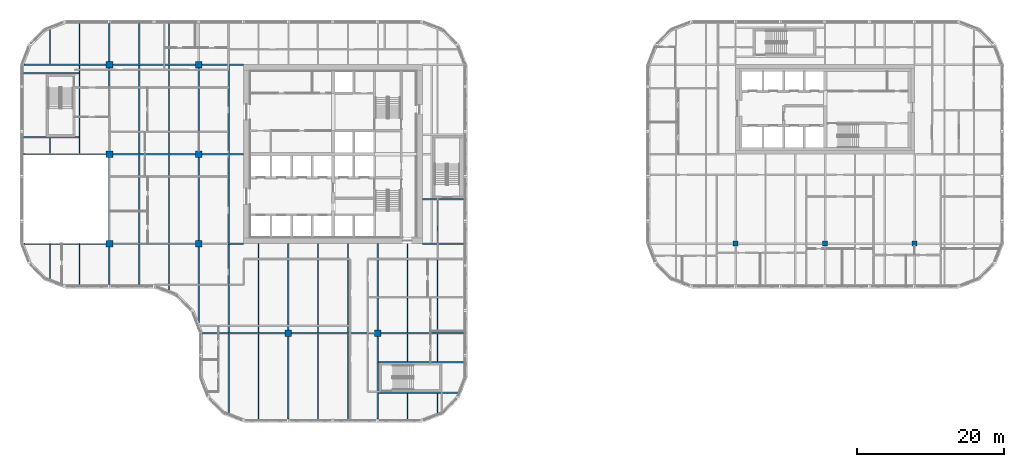
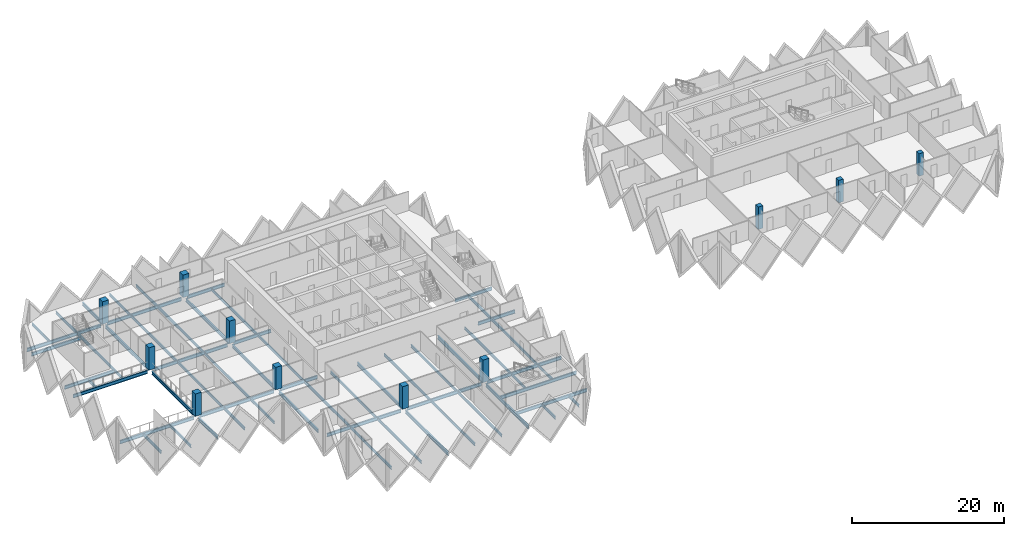
# One storey, part 1 of 19: 60 beams, 11 columns.
"""IFC4 building model written with IfcOpenShell, lengths in metres."""

from ifc_helpers import new_model, si_unit, direction, frame, origin, origin_2d, place, context, subcontext, project, spatial, rectangle, i_section, extrude, material, material_profile, profile_set, type_object, element, save


model = new_model("IFC4")

# Units and contexts
model_context = context("Model", 3, precision=1e-05, world=origin(), true_north=direction((0.0, 1.0)))
body_context = subcontext(model_context, "Body", "Model", "MODEL_VIEW")
ifc_project = project(units=[si_unit("LENGTHUNIT", "METRE"), si_unit("AREAUNIT", "SQUARE_METRE"), si_unit("VOLUMEUNIT", "CUBIC_METRE"), si_unit("PLANEANGLEUNIT", "RADIAN"), si_unit("MASSUNIT", "GRAM", prefix="KILO")], contexts=[model_context])

# Site, building, storey
site_placement = place(None, origin())
site = spatial("IfcSite", under=ifc_project, at=site_placement, CompositionType="ELEMENT")
building_placement = place(site_placement, origin())
building = spatial("IfcBuilding", under=site, at=building_placement, Name="Tessera Gate Towers", CompositionType="ELEMENT")
storey_placement = place(building_placement, frame((0.0, 0.0, 72.39990234375)))
storey = spatial("IfcBuildingStorey", under=building, at=storey_placement, Name="L17", CompositionType="ELEMENT", Elevation=72.39990234375)

# Columns
ifc_material_1 = material(Name="Concrete C70/85", Category="concrete")
ifc_material_profile_1 = material_profile(ifc_material_1, rectangle(XDim=0.699951171875, YDim=0.699951171875, at=origin_2d()), Name="RC 700x700")
ifc_profile_set_1 = profile_set([ifc_material_profile_1], Name="Concrete C70/85")
column_type_1 = type_object("IfcColumnType", Name="COLUMN RC 700x700", PredefinedType="COLUMN", material=ifc_profile_set_1)
for number, where, z_axis, x_axis, name in (
    (1, (97.60009765625, 24.39990234375, 0.0), (0.0, 0.0, 1.0), (1.0, 0.0, 0.0), "T2-COL-9C-L17"),
    (2, (109.800048828125, 24.39990234375, 0.0), (0.0, 0.0, 1.0), (1.0, 0.0, 0.0), "T2-COL-10C-L17"),
    (3, (122.0, 24.39990234375, 0.0), (0.0, 0.0, 1.0), (1.0, 0.0, 0.0), "T2-COL-11C-L17"),
):
    element("IfcColumn", number, at=place(storey_placement, frame(where, z_axis=z_axis, x_axis=x_axis)), inside=storey, type_object=column_type_1, Name=name, PredefinedType="COLUMN", context=body_context, shape_type="SweptSolid", body=[
        extrude(rectangle(XDim=0.699951171875, YDim=0.699951171875, at=origin_2d()), origin(), (0.0, 0.0, 1.0), 3.60009765625),
    ])
ifc_material_2 = material(Name="Concrete C70/85", Category="concrete")
ifc_material_profile_2 = material_profile(ifc_material_2, rectangle(XDim=0.89990234375, YDim=0.89990234375, at=origin_2d()), Name="RC 900x900")
ifc_profile_set_2 = profile_set([ifc_material_profile_2], Name="Concrete C70/85")
column_type_2 = type_object("IfcColumnType", Name="COLUMN RC 900x900", PredefinedType="COLUMN", material=ifc_profile_set_2)
for number, where, z_axis, x_axis, name in (
    (4, (12.199951171875, 24.39990234375, 0.0), (0.0, 0.0, 1.0), (1.0, 0.0, 0.0), "T1-COL-2C-L17"),
    (5, (12.199951171875, 36.60009765625, 0.0), (0.0, 0.0, 1.0), (1.0, 0.0, 0.0), "T1-COL-2D-L17"),
    (6, (12.199951171875, 48.800048828125, 0.0), (0.0, 0.0, 1.0), (1.0, 0.0, 0.0), "T1-COL-2E-L17"),
    (7, (24.39990234375, 24.39990234375, 0.0), (0.0, 0.0, 1.0), (1.0, 0.0, 0.0), "T1-COL-3C-L17"),
    (8, (24.39990234375, 36.60009765625, 0.0), (0.0, 0.0, 1.0), (1.0, 0.0, 0.0), "T1-COL-3D-L17"),
    (9, (24.39990234375, 48.800048828125, 0.0), (0.0, 0.0, 1.0), (1.0, 0.0, 0.0), "T1-COL-3E-L17"),
    (10, (36.60009765625, 12.199951171875, 0.0), (0.0, 0.0, 1.0), (1.0, 0.0, 0.0), "T1-COL-4B-L17"),
    (11, (48.800048828125, 12.199951171875, 0.0), (0.0, 0.0, 1.0), (1.0, 0.0, 0.0), "T1-COL-5B-L17"),
):
    element("IfcColumn", number, at=place(storey_placement, frame(where, z_axis=z_axis, x_axis=x_axis)), inside=storey, type_object=column_type_2, Name=name, PredefinedType="COLUMN", context=body_context, shape_type="SweptSolid", body=[
        extrude(rectangle(XDim=0.89990234375, YDim=0.89990234375, at=origin_2d()), origin(), (0.0, 0.0, 1.0), 3.60009765625),
    ])

# Beams
ifc_material_3 = material(Name="Steel 350W", Category="steel")
ifc_material_profile_3 = material_profile(ifc_material_3, i_section(OverallWidth=0.208984375, OverallDepth=0.532958984375, WebThickness=0.01025390625, FlangeThickness=0.015625, at=origin_2d()), Name="W530x92")
ifc_profile_set_3 = profile_set([ifc_material_profile_3], Name="Steel 350W")
beam_type_1 = type_object("IfcBeamType", Name="FLOOR GIRDER W530x92", PredefinedType="BEAM", material=ifc_profile_set_3)
beam_1_placement = place(storey_placement, frame((24.89892578125, 12.199951171875, -0.46630859375), z_axis=(1.0, 0.0, 0.0), x_axis=(0.0, 1.0, 0.0)))
element("IfcBeam", 12, at=beam_1_placement, inside=storey, type_object=beam_type_1, Name="T1-GD-L17-2344", PredefinedType="BEAM", context=body_context, shape_type="SweptSolid", body=[
    extrude(i_section(OverallWidth=0.208984375, OverallDepth=0.532958984375, WebThickness=0.01025390625, FlangeThickness=0.015625, at=origin_2d()), origin(), (0.0, 0.0, 1.0), 11.2509765625),
])
beam_2_placement = place(storey_placement, frame((37.050048828125, 12.199951171875, -0.46630859375), z_axis=(1.0, 0.0, 0.0), x_axis=(0.0, 1.0, 0.0)))
element("IfcBeam", 13, at=beam_2_placement, inside=storey, type_object=beam_type_1, Name="T1-GD-L17-2345", PredefinedType="BEAM", context=body_context, shape_type="SweptSolid", body=[
    extrude(i_section(OverallWidth=0.208984375, OverallDepth=0.532958984375, WebThickness=0.01025390625, FlangeThickness=0.015625, at=origin_2d()), origin(), (0.0, 0.0, 1.0), 11.300048828125),
])
beam_3_placement = place(storey_placement, frame((49.25, 12.199951171875, -0.46630859375), z_axis=(1.0, 0.0, 0.0), x_axis=(0.0, 1.0, 0.0)))
element("IfcBeam", 14, at=beam_3_placement, inside=storey, type_object=beam_type_1, Name="T1-GD-L17-2346", PredefinedType="BEAM", context=body_context, shape_type="SweptSolid", body=[
    extrude(i_section(OverallWidth=0.208984375, OverallDepth=0.532958984375, WebThickness=0.01025390625, FlangeThickness=0.015625, at=origin_2d()), origin(), (0.0, 0.0, 1.0), 11.2509765625),
])
beam_4_placement = place(storey_placement, frame((0.534912109375, 24.39990234375, -0.46630859375), z_axis=(1.0, 0.0, 0.0), x_axis=(0.0, 1.0, 0.0)))
element("IfcBeam", 15, at=beam_4_placement, inside=storey, type_object=beam_type_1, Name="T1-GD-L17-2347", PredefinedType="BEAM", context=body_context, shape_type="SweptSolid", body=[
    extrude(i_section(OverallWidth=0.208984375, OverallDepth=0.532958984375, WebThickness=0.01025390625, FlangeThickness=0.015625, at=origin_2d()), origin(), (0.0, 0.0, 1.0), 11.215087890625),
])
beam_5_placement = place(storey_placement, frame((12.64990234375, 24.39990234375, -0.46630859375), z_axis=(1.0, 0.0, 0.0), x_axis=(0.0, 1.0, 0.0)))
element("IfcBeam", 16, at=beam_5_placement, inside=storey, type_object=beam_type_1, Name="T1-GD-L17-2348", PredefinedType="BEAM", context=body_context, shape_type="SweptSolid", body=[
    extrude(i_section(OverallWidth=0.208984375, OverallDepth=0.532958984375, WebThickness=0.01025390625, FlangeThickness=0.015625, at=origin_2d()), origin(), (0.0, 0.0, 1.0), 11.300048828125),
])
beam_6_placement = place(storey_placement, frame((24.85009765625, 24.39990234375, -0.46630859375), z_axis=(1.0, 0.0, 0.0), x_axis=(0.0, 1.0, 0.0)))
element("IfcBeam", 17, at=beam_6_placement, inside=storey, type_object=beam_type_1, Name="T1-GD-L17-2349", PredefinedType="BEAM", context=body_context, shape_type="SweptSolid", body=[
    extrude(i_section(OverallWidth=0.208984375, OverallDepth=0.532958984375, WebThickness=0.01025390625, FlangeThickness=0.015625, at=origin_2d()), origin(), (0.0, 0.0, 1.0), 5.64892578125),
])
beam_7_placement = place(storey_placement, frame((54.90087890625, 24.39990234375, -0.46630859375), z_axis=(1.0, 0.0, 0.0), x_axis=(0.0, 1.0, 0.0)))
element("IfcBeam", 18, at=beam_7_placement, inside=storey, type_object=beam_type_1, Name="T1-GD-L17-2350", PredefinedType="BEAM", context=body_context, shape_type="SweptSolid", body=[
    extrude(i_section(OverallWidth=0.208984375, OverallDepth=0.532958984375, WebThickness=0.01025390625, FlangeThickness=0.015625, at=origin_2d()), origin(), (0.0, 0.0, 1.0), 5.60009765625),
])
beam_8_placement = place(storey_placement, frame((0.4990234375, 36.60009765625, -0.46630859375), z_axis=(1.0, 0.0, 0.0), x_axis=(0.0, 1.0, 0.0)))
element("IfcBeam", 19, at=beam_8_placement, inside=storey, type_object=beam_type_1, Name="T1-GD-L17-2351", PredefinedType="BEAM", context=body_context, shape_type="SweptSolid", body=[
    extrude(i_section(OverallWidth=0.208984375, OverallDepth=0.532958984375, WebThickness=0.01025390625, FlangeThickness=0.015625, at=origin_2d()), origin(), (0.0, 0.0, 1.0), 11.2509765625),
])
beam_9_placement = place(storey_placement, frame((12.64990234375, 36.60009765625, -0.46630859375), z_axis=(1.0, 0.0, 0.0), x_axis=(0.0, 1.0, 0.0)))
element("IfcBeam", 20, at=beam_9_placement, inside=storey, type_object=beam_type_1, Name="T1-GD-L17-2352", PredefinedType="BEAM", context=body_context, shape_type="SweptSolid", body=[
    extrude(i_section(OverallWidth=0.208984375, OverallDepth=0.532958984375, WebThickness=0.01025390625, FlangeThickness=0.015625, at=origin_2d()), origin(), (0.0, 0.0, 1.0), 11.300048828125),
])
beam_10_placement = place(storey_placement, frame((24.85009765625, 36.60009765625, -0.46630859375), z_axis=(1.0, 0.0, 0.0), x_axis=(0.0, 1.0, 0.0)))
element("IfcBeam", 21, at=beam_10_placement, inside=storey, type_object=beam_type_1, Name="T1-GD-L17-2353", PredefinedType="BEAM", context=body_context, shape_type="SweptSolid", body=[
    extrude(i_section(OverallWidth=0.208984375, OverallDepth=0.532958984375, WebThickness=0.01025390625, FlangeThickness=0.015625, at=origin_2d()), origin(), (0.0, 0.0, 1.0), 5.65087890625),
])
beam_11_placement = place(storey_placement, frame((0.534912109375, 48.800048828125, -0.46630859375), z_axis=(1.0, 0.0, 0.0), x_axis=(0.0, 1.0, 0.0)))
element("IfcBeam", 22, at=beam_11_placement, inside=storey, type_object=beam_type_1, Name="T1-GD-L17-2355", PredefinedType="BEAM", context=body_context, shape_type="SweptSolid", body=[
    extrude(i_section(OverallWidth=0.208984375, OverallDepth=0.532958984375, WebThickness=0.01025390625, FlangeThickness=0.015625, at=origin_2d()), origin(), (0.0, 0.0, 1.0), 11.215087890625),
])
beam_12_placement = place(storey_placement, frame((12.64990234375, 48.800048828125, -0.46630859375), z_axis=(1.0, 0.0, 0.0), x_axis=(0.0, 1.0, 0.0)))
element("IfcBeam", 23, at=beam_12_placement, inside=storey, type_object=beam_type_1, Name="T1-GD-L17-2356", PredefinedType="BEAM", context=body_context, shape_type="SweptSolid", body=[
    extrude(i_section(OverallWidth=0.208984375, OverallDepth=0.532958984375, WebThickness=0.01025390625, FlangeThickness=0.015625, at=origin_2d()), origin(), (0.0, 0.0, 1.0), 11.300048828125),
])
beam_13_placement = place(storey_placement, frame((24.85009765625, 48.800048828125, -0.46630859375), z_axis=(1.0, 0.0, 0.0), x_axis=(0.0, 1.0, 0.0)))
element("IfcBeam", 24, at=beam_13_placement, inside=storey, type_object=beam_type_1, Name="T1-GD-L17-2357", PredefinedType="BEAM", context=body_context, shape_type="SweptSolid", body=[
    extrude(i_section(OverallWidth=0.208984375, OverallDepth=0.532958984375, WebThickness=0.01025390625, FlangeThickness=0.015625, at=origin_2d()), origin(), (0.0, 0.0, 1.0), 5.64892578125),
])
beam_14_placement = place(storey_placement, frame((12.199951171875, 18.799072265625, -0.46630859375), z_axis=(0.0, 1.0, 0.0), x_axis=(-1.0, 0.0, 0.0)))
element("IfcBeam", 25, at=beam_14_placement, inside=storey, type_object=beam_type_1, Name="T1-GD-L17-2359", PredefinedType="BEAM", context=body_context, shape_type="SweptSolid", body=[
    extrude(i_section(OverallWidth=0.208984375, OverallDepth=0.532958984375, WebThickness=0.01025390625, FlangeThickness=0.015625, at=origin_2d()), origin(), (0.0, 0.0, 1.0), 5.15087890625),
])
beam_15_placement = place(storey_placement, frame((12.199951171875, 24.85009765625, -0.46630859375), z_axis=(0.0, 1.0, 0.0), x_axis=(-1.0, 0.0, 0.0)))
element("IfcBeam", 26, at=beam_15_placement, inside=storey, type_object=beam_type_1, Name="T1-GD-L17-2360", PredefinedType="BEAM", context=body_context, shape_type="SweptSolid", body=[
    extrude(i_section(OverallWidth=0.208984375, OverallDepth=0.532958984375, WebThickness=0.01025390625, FlangeThickness=0.015625, at=origin_2d()), origin(), (0.0, 0.0, 1.0), 11.2998046875),
])
beam_16_placement = place(storey_placement, frame((12.199951171875, 37.050048828125, -0.46630859375), z_axis=(0.0, 1.0, 0.0), x_axis=(-1.0, 0.0, 0.0)))
element("IfcBeam", 27, at=beam_16_placement, inside=storey, type_object=beam_type_1, Name="T1-GD-L17-2361", PredefinedType="BEAM", context=body_context, shape_type="SweptSolid", body=[
    extrude(i_section(OverallWidth=0.208984375, OverallDepth=0.532958984375, WebThickness=0.01025390625, FlangeThickness=0.015625, at=origin_2d()), origin(), (0.0, 0.0, 1.0), 11.300048828125),
])
beam_17_placement = place(storey_placement, frame((12.199951171875, 49.25, -0.46630859375), z_axis=(0.0, 1.0, 0.0), x_axis=(-1.0, 0.0, 0.0)))
element("IfcBeam", 28, at=beam_17_placement, inside=storey, type_object=beam_type_1, Name="T1-GD-L17-2362", PredefinedType="BEAM", context=body_context, shape_type="SweptSolid", body=[
    extrude(i_section(OverallWidth=0.208984375, OverallDepth=0.532958984375, WebThickness=0.01025390625, FlangeThickness=0.015625, at=origin_2d()), origin(), (0.0, 0.0, 1.0), 5.15087890625),
])
beam_18_placement = place(storey_placement, frame((24.39990234375, 13.58642578125, -0.46630859375), z_axis=(0.0, 1.0, 0.0), x_axis=(-1.0, 0.0, 0.0)))
element("IfcBeam", 29, at=beam_18_placement, inside=storey, type_object=beam_type_1, Name="T1-GD-L17-2363", PredefinedType="BEAM", context=body_context, shape_type="SweptSolid", body=[
    extrude(i_section(OverallWidth=0.208984375, OverallDepth=0.532958984375, WebThickness=0.01025390625, FlangeThickness=0.015625, at=origin_2d()), origin(), (0.0, 0.0, 1.0), 10.363525390625),
])
beam_19_placement = place(storey_placement, frame((24.39990234375, 24.85009765625, -0.46630859375), z_axis=(0.0, 1.0, 0.0), x_axis=(-1.0, 0.0, 0.0)))
element("IfcBeam", 30, at=beam_19_placement, inside=storey, type_object=beam_type_1, Name="T1-GD-L17-2364", PredefinedType="BEAM", context=body_context, shape_type="SweptSolid", body=[
    extrude(i_section(OverallWidth=0.208984375, OverallDepth=0.532958984375, WebThickness=0.01025390625, FlangeThickness=0.015625, at=origin_2d()), origin(), (0.0, 0.0, 1.0), 11.2998046875),
])
beam_20_placement = place(storey_placement, frame((24.39990234375, 37.050048828125, -0.46630859375), z_axis=(0.0, 1.0, 0.0), x_axis=(-1.0, 0.0, 0.0)))
element("IfcBeam", 31, at=beam_20_placement, inside=storey, type_object=beam_type_1, Name="T1-GD-L17-2365", PredefinedType="BEAM", context=body_context, shape_type="SweptSolid", body=[
    extrude(i_section(OverallWidth=0.208984375, OverallDepth=0.532958984375, WebThickness=0.01025390625, FlangeThickness=0.015625, at=origin_2d()), origin(), (0.0, 0.0, 1.0), 11.300048828125),
])
beam_21_placement = place(storey_placement, frame((36.60009765625, 0.4990234375, -0.46630859375), z_axis=(0.0, 1.0, 0.0), x_axis=(-1.0, 0.0, 0.0)))
element("IfcBeam", 32, at=beam_21_placement, inside=storey, type_object=beam_type_1, Name="T1-GD-L17-2367", PredefinedType="BEAM", context=body_context, shape_type="SweptSolid", body=[
    extrude(i_section(OverallWidth=0.208984375, OverallDepth=0.532958984375, WebThickness=0.01025390625, FlangeThickness=0.015625, at=origin_2d()), origin(), (0.0, 0.0, 1.0), 11.2509765625),
])
beam_22_placement = place(storey_placement, frame((36.60009765625, 12.64990234375, -0.46630859375), z_axis=(0.0, 1.0, 0.0), x_axis=(-1.0, 0.0, 0.0)))
element("IfcBeam", 33, at=beam_22_placement, inside=storey, type_object=beam_type_1, Name="T1-GD-L17-2368", PredefinedType="BEAM", context=body_context, shape_type="SweptSolid", body=[
    extrude(i_section(OverallWidth=0.208984375, OverallDepth=0.532958984375, WebThickness=0.01025390625, FlangeThickness=0.015625, at=origin_2d()), origin(), (0.0, 0.0, 1.0), 11.75),
])
beam_23_placement = place(storey_placement, frame((48.800048828125, 0.4990234375, -0.46630859375), z_axis=(0.0, 1.0, 0.0), x_axis=(-1.0, 0.0, 0.0)))
element("IfcBeam", 34, at=beam_23_placement, inside=storey, type_object=beam_type_1, Name="T1-GD-L17-2369", PredefinedType="BEAM", context=body_context, shape_type="SweptSolid", body=[
    extrude(i_section(OverallWidth=0.208984375, OverallDepth=0.532958984375, WebThickness=0.01025390625, FlangeThickness=0.015625, at=origin_2d()), origin(), (0.0, 0.0, 1.0), 11.2509765625),
])
beam_24_placement = place(storey_placement, frame((48.800048828125, 12.64990234375, -0.46630859375), z_axis=(0.0, 1.0, 0.0), x_axis=(-1.0, 0.0, 0.0)))
element("IfcBeam", 35, at=beam_24_placement, inside=storey, type_object=beam_type_1, Name="T1-GD-L17-2370", PredefinedType="BEAM", context=body_context, shape_type="SweptSolid", body=[
    extrude(i_section(OverallWidth=0.208984375, OverallDepth=0.532958984375, WebThickness=0.01025390625, FlangeThickness=0.015625, at=origin_2d()), origin(), (0.0, 0.0, 1.0), 11.75),
])
for number, where, z_axis, x_axis, name in (
    (36, (0.4990234375, 38.8798828125, -0.46630859375), (1.0, 0.0, 0.0), (0.0, 1.0, 0.0), "T1-GD-L17-2371"),
    (37, (0.4990234375, 47.6201171875, -0.46630859375), (1.0, 0.0, 0.0), (0.0, 1.0, 0.0), "T1-GD-L17-2372"),
):
    element("IfcBeam", number, at=place(storey_placement, frame(where, z_axis=z_axis, x_axis=x_axis)), inside=storey, type_object=beam_type_1, Name=name, PredefinedType="BEAM", context=body_context, shape_type="SweptSolid", body=[
        extrude(i_section(OverallWidth=0.208984375, OverallDepth=0.532958984375, WebThickness=0.01025390625, FlangeThickness=0.015625, at=origin_2d()), origin(), (0.0, 0.0, 1.0), 7.557861328125),
    ])
beam_25_placement = place(storey_placement, frame((48.87646484375, 4.080078125, -0.46630859375), z_axis=(1.0, 0.0, 0.0), x_axis=(0.0, 1.0, 0.0)))
element("IfcBeam", 38, at=beam_25_placement, inside=storey, type_object=beam_type_1, Name="T1-GD-L17-2373", PredefinedType="BEAM", context=body_context, shape_type="SweptSolid", body=[
    extrude(i_section(OverallWidth=0.208984375, OverallDepth=0.532958984375, WebThickness=0.01025390625, FlangeThickness=0.015625, at=origin_2d()), origin(), (0.0, 0.0, 1.0), 10.809326171875),
])
beam_26_placement = place(storey_placement, frame((48.87646484375, 8.219970703125, -0.46630859375), z_axis=(1.0, 0.0, 0.0), x_axis=(0.0, 1.0, 0.0)))
element("IfcBeam", 39, at=beam_26_placement, inside=storey, type_object=beam_type_1, Name="T1-GD-L17-2374", PredefinedType="BEAM", context=body_context, shape_type="SweptSolid", body=[
    extrude(i_section(OverallWidth=0.208984375, OverallDepth=0.532958984375, WebThickness=0.01025390625, FlangeThickness=0.015625, at=origin_2d()), origin(), (0.0, 0.0, 1.0), 11.62451171875),
])
beam_27_placement = place(storey_placement, frame((54.89892578125, 30.47998046875, -0.46630859375), z_axis=(1.0, 0.0, 0.0), x_axis=(0.0, 1.0, 0.0)))
element("IfcBeam", 40, at=beam_27_placement, inside=storey, type_object=beam_type_1, Name="T1-GD-L17-2375", PredefinedType="BEAM", context=body_context, shape_type="SweptSolid", body=[
    extrude(i_section(OverallWidth=0.208984375, OverallDepth=0.532958984375, WebThickness=0.01025390625, FlangeThickness=0.015625, at=origin_2d()), origin(), (0.0, 0.0, 1.0), 5.60205078125),
])
ifc_material_4 = material(Name="Steel 350W", Category="steel")
ifc_material_profile_4 = material_profile(ifc_material_4, i_section(OverallWidth=0.153076171875, OverallDepth=0.455078125, WebThickness=0.008056640625, FlangeThickness=0.01318359375, at=origin_2d()), Name="W460x60")
ifc_profile_set_4 = profile_set([ifc_material_profile_4], Name="Steel 350W")
beam_type_2 = type_object("IfcBeamType", Name="FLOOR SECONDARY W460x60", PredefinedType="BEAM", material=ifc_profile_set_4)
beam_28_placement = place(storey_placement, frame((4.066650390625, 19.620361328125, -0.427490234375), z_axis=(0.0, 1.0, 0.0), x_axis=(-1.0, 0.0, 0.0)))
element("IfcBeam", 41, at=beam_28_placement, inside=storey, type_object=beam_type_2, Name="T1-BM-L17-2378", PredefinedType="BEAM", context=body_context, shape_type="SweptSolid", body=[
    extrude(i_section(OverallWidth=0.153076171875, OverallDepth=0.455078125, WebThickness=0.008056640625, FlangeThickness=0.01318359375, at=origin_2d()), origin(), (0.0, 0.0, 1.0), 4.779541015625),
])
beam_29_placement = place(storey_placement, frame((4.066650390625, 36.70458984375, -0.427490234375), z_axis=(0.0, 1.0, 0.0), x_axis=(-1.0, 0.0, 0.0)))
element("IfcBeam", 42, at=beam_29_placement, inside=storey, type_object=beam_type_2, Name="T1-BM-L17-2379", PredefinedType="BEAM", context=body_context, shape_type="SweptSolid", body=[
    extrude(i_section(OverallWidth=0.153076171875, OverallDepth=0.455078125, WebThickness=0.008056640625, FlangeThickness=0.01318359375, at=origin_2d()), origin(), (0.0, 0.0, 1.0), 2.07080078125),
])
beam_30_placement = place(storey_placement, frame((4.066650390625, 48.904541015625, -0.427490234375), z_axis=(0.0, 1.0, 0.0), x_axis=(-1.0, 0.0, 0.0)))
element("IfcBeam", 43, at=beam_30_placement, inside=storey, type_object=beam_type_2, Name="T1-BM-L17-2380", PredefinedType="BEAM", context=body_context, shape_type="SweptSolid", body=[
    extrude(i_section(OverallWidth=0.153076171875, OverallDepth=0.455078125, WebThickness=0.008056640625, FlangeThickness=0.01318359375, at=origin_2d()), origin(), (0.0, 0.0, 1.0), 4.675048828125),
])
beam_31_placement = place(storey_placement, frame((8.13330078125, 18.800048828125, -0.427490234375), z_axis=(0.0, 1.0, 0.0), x_axis=(-1.0, 0.0, 0.0)))
element("IfcBeam", 44, at=beam_31_placement, inside=storey, type_object=beam_type_2, Name="T1-BM-L17-2381", PredefinedType="BEAM", context=body_context, shape_type="SweptSolid", body=[
    extrude(i_section(OverallWidth=0.153076171875, OverallDepth=0.455078125, WebThickness=0.008056640625, FlangeThickness=0.01318359375, at=origin_2d()), origin(), (0.0, 0.0, 1.0), 5.599853515625),
])
beam_32_placement = place(storey_placement, frame((8.13330078125, 36.70458984375, -0.427490234375), z_axis=(0.0, 1.0, 0.0), x_axis=(-1.0, 0.0, 0.0)))
element("IfcBeam", 45, at=beam_32_placement, inside=storey, type_object=beam_type_2, Name="T1-BM-L17-2382", PredefinedType="BEAM", context=body_context, shape_type="SweptSolid", body=[
    extrude(i_section(OverallWidth=0.153076171875, OverallDepth=0.455078125, WebThickness=0.008056640625, FlangeThickness=0.01318359375, at=origin_2d()), origin(), (0.0, 0.0, 1.0), 11.990966796875),
])
for number, where, z_axis, x_axis, name in (
    (46, (8.13330078125, 48.904541015625, -0.427490234375), (0.0, 1.0, 0.0), (-1.0, 0.0, 0.0), "T1-BM-L17-2383"),
    (47, (16.2666015625, 18.800048828125, -0.427490234375), (0.0, 1.0, 0.0), (-1.0, 0.0, 0.0), "T1-BM-L17-2384"),
):
    element("IfcBeam", number, at=place(storey_placement, frame(where, z_axis=z_axis, x_axis=x_axis)), inside=storey, type_object=beam_type_2, Name=name, PredefinedType="BEAM", context=body_context, shape_type="SweptSolid", body=[
        extrude(i_section(OverallWidth=0.153076171875, OverallDepth=0.455078125, WebThickness=0.008056640625, FlangeThickness=0.01318359375, at=origin_2d()), origin(), (0.0, 0.0, 1.0), 5.495361328125),
    ])
beam_33_placement = place(storey_placement, frame((16.2666015625, 24.50439453125, -0.427490234375), z_axis=(0.0, 1.0, 0.0), x_axis=(-1.0, 0.0, 0.0)))
element("IfcBeam", 48, at=beam_33_placement, inside=storey, type_object=beam_type_2, Name="T1-BM-L17-2385", PredefinedType="BEAM", context=body_context, shape_type="SweptSolid", body=[
    extrude(i_section(OverallWidth=0.153076171875, OverallDepth=0.455078125, WebThickness=0.008056640625, FlangeThickness=0.01318359375, at=origin_2d()), origin(), (0.0, 0.0, 1.0), 11.9912109375),
])
beam_34_placement = place(storey_placement, frame((16.2666015625, 36.70458984375, -0.427490234375), z_axis=(0.0, 1.0, 0.0), x_axis=(-1.0, 0.0, 0.0)))
element("IfcBeam", 49, at=beam_34_placement, inside=storey, type_object=beam_type_2, Name="T1-BM-L17-2386", PredefinedType="BEAM", context=body_context, shape_type="SweptSolid", body=[
    extrude(i_section(OverallWidth=0.153076171875, OverallDepth=0.455078125, WebThickness=0.008056640625, FlangeThickness=0.01318359375, at=origin_2d()), origin(), (0.0, 0.0, 1.0), 11.990966796875),
])
beam_35_placement = place(storey_placement, frame((16.2666015625, 48.904541015625, -0.427490234375), z_axis=(0.0, 1.0, 0.0), x_axis=(-1.0, 0.0, 0.0)))
element("IfcBeam", 50, at=beam_35_placement, inside=storey, type_object=beam_type_2, Name="T1-BM-L17-2387", PredefinedType="BEAM", context=body_context, shape_type="SweptSolid", body=[
    extrude(i_section(OverallWidth=0.153076171875, OverallDepth=0.455078125, WebThickness=0.008056640625, FlangeThickness=0.01318359375, at=origin_2d()), origin(), (0.0, 0.0, 1.0), 5.495361328125),
])
beam_36_placement = place(storey_placement, frame((20.333251953125, 18.051513671875, -0.427490234375), z_axis=(0.0, 1.0, 0.0), x_axis=(-1.0, 0.0, 0.0)))
element("IfcBeam", 51, at=beam_36_placement, inside=storey, type_object=beam_type_2, Name="T1-BM-L17-2388", PredefinedType="BEAM", context=body_context, shape_type="SweptSolid", body=[
    extrude(i_section(OverallWidth=0.153076171875, OverallDepth=0.455078125, WebThickness=0.008056640625, FlangeThickness=0.01318359375, at=origin_2d()), origin(), (0.0, 0.0, 1.0), 6.243896484375),
])
beam_37_placement = place(storey_placement, frame((20.333251953125, 24.50439453125, -0.427490234375), z_axis=(0.0, 1.0, 0.0), x_axis=(-1.0, 0.0, 0.0)))
element("IfcBeam", 52, at=beam_37_placement, inside=storey, type_object=beam_type_2, Name="T1-BM-L17-2389", PredefinedType="BEAM", context=body_context, shape_type="SweptSolid", body=[
    extrude(i_section(OverallWidth=0.153076171875, OverallDepth=0.455078125, WebThickness=0.008056640625, FlangeThickness=0.01318359375, at=origin_2d()), origin(), (0.0, 0.0, 1.0), 11.9912109375),
])
beam_38_placement = place(storey_placement, frame((20.333251953125, 36.70458984375, -0.427490234375), z_axis=(0.0, 1.0, 0.0), x_axis=(-1.0, 0.0, 0.0)))
element("IfcBeam", 53, at=beam_38_placement, inside=storey, type_object=beam_type_2, Name="T1-BM-L17-2390", PredefinedType="BEAM", context=body_context, shape_type="SweptSolid", body=[
    extrude(i_section(OverallWidth=0.153076171875, OverallDepth=0.455078125, WebThickness=0.008056640625, FlangeThickness=0.01318359375, at=origin_2d()), origin(), (0.0, 0.0, 1.0), 11.990966796875),
])
beam_39_placement = place(storey_placement, frame((20.333251953125, 48.904541015625, -0.427490234375), z_axis=(0.0, 1.0, 0.0), x_axis=(-1.0, 0.0, 0.0)))
element("IfcBeam", 54, at=beam_39_placement, inside=storey, type_object=beam_type_2, Name="T1-BM-L17-2391", PredefinedType="BEAM", context=body_context, shape_type="SweptSolid", body=[
    extrude(i_section(OverallWidth=0.153076171875, OverallDepth=0.455078125, WebThickness=0.008056640625, FlangeThickness=0.01318359375, at=origin_2d()), origin(), (0.0, 0.0, 1.0), 5.495361328125),
])
beam_40_placement = place(storey_placement, frame((28.466796875, 1.3203125, -0.427490234375), z_axis=(0.0, 1.0, 0.0), x_axis=(-1.0, 0.0, 0.0)))
element("IfcBeam", 55, at=beam_40_placement, inside=storey, type_object=beam_type_2, Name="T1-BM-L17-2392", PredefinedType="BEAM", context=body_context, shape_type="SweptSolid", body=[
    extrude(i_section(OverallWidth=0.153076171875, OverallDepth=0.455078125, WebThickness=0.008056640625, FlangeThickness=0.01318359375, at=origin_2d()), origin(), (0.0, 0.0, 1.0), 10.775146484375),
])
beam_41_placement = place(storey_placement, frame((28.466796875, 12.304443359375, -0.427490234375), z_axis=(0.0, 1.0, 0.0), x_axis=(-1.0, 0.0, 0.0)))
element("IfcBeam", 56, at=beam_41_placement, inside=storey, type_object=beam_type_2, Name="T1-BM-L17-2393", PredefinedType="BEAM", context=body_context, shape_type="SweptSolid", body=[
    extrude(i_section(OverallWidth=0.153076171875, OverallDepth=0.455078125, WebThickness=0.008056640625, FlangeThickness=0.01318359375, at=origin_2d()), origin(), (0.0, 0.0, 1.0), 11.990966796875),
])
beam_42_placement = place(storey_placement, frame((28.466796875, 24.50439453125, -0.427490234375), z_axis=(0.0, 1.0, 0.0), x_axis=(-1.0, 0.0, 0.0)))
element("IfcBeam", 57, at=beam_42_placement, inside=storey, type_object=beam_type_2, Name="T1-BM-L17-2394", PredefinedType="BEAM", context=body_context, shape_type="SweptSolid", body=[
    extrude(i_section(OverallWidth=0.153076171875, OverallDepth=0.455078125, WebThickness=0.008056640625, FlangeThickness=0.01318359375, at=origin_2d()), origin(), (0.0, 0.0, 1.0), 11.9912109375),
])
beam_43_placement = place(storey_placement, frame((28.466796875, 36.70458984375, -0.427490234375), z_axis=(0.0, 1.0, 0.0), x_axis=(-1.0, 0.0, 0.0)))
element("IfcBeam", 58, at=beam_43_placement, inside=storey, type_object=beam_type_2, Name="T1-BM-L17-2395", PredefinedType="BEAM", context=body_context, shape_type="SweptSolid", body=[
    extrude(i_section(OverallWidth=0.153076171875, OverallDepth=0.455078125, WebThickness=0.008056640625, FlangeThickness=0.01318359375, at=origin_2d()), origin(), (0.0, 0.0, 1.0), 11.990966796875),
])
beam_44_placement = place(storey_placement, frame((32.533203125, 0.5, -0.427490234375), z_axis=(0.0, 1.0, 0.0), x_axis=(-1.0, 0.0, 0.0)))
element("IfcBeam", 59, at=beam_44_placement, inside=storey, type_object=beam_type_2, Name="T1-BM-L17-2397", PredefinedType="BEAM", context=body_context, shape_type="SweptSolid", body=[
    extrude(i_section(OverallWidth=0.153076171875, OverallDepth=0.455078125, WebThickness=0.008056640625, FlangeThickness=0.01318359375, at=origin_2d()), origin(), (0.0, 0.0, 1.0), 11.595458984375),
])
beam_45_placement = place(storey_placement, frame((32.533203125, 12.304443359375, -0.427490234375), z_axis=(0.0, 1.0, 0.0), x_axis=(-1.0, 0.0, 0.0)))
element("IfcBeam", 60, at=beam_45_placement, inside=storey, type_object=beam_type_2, Name="T1-BM-L17-2398", PredefinedType="BEAM", context=body_context, shape_type="SweptSolid", body=[
    extrude(i_section(OverallWidth=0.153076171875, OverallDepth=0.455078125, WebThickness=0.008056640625, FlangeThickness=0.01318359375, at=origin_2d()), origin(), (0.0, 0.0, 1.0), 12.095458984375),
])
beam_46_placement = place(storey_placement, frame((40.666748046875, 0.5, -0.427490234375), z_axis=(0.0, 1.0, 0.0), x_axis=(-1.0, 0.0, 0.0)))
element("IfcBeam", 61, at=beam_46_placement, inside=storey, type_object=beam_type_2, Name="T1-BM-L17-2401", PredefinedType="BEAM", context=body_context, shape_type="SweptSolid", body=[
    extrude(i_section(OverallWidth=0.153076171875, OverallDepth=0.455078125, WebThickness=0.008056640625, FlangeThickness=0.01318359375, at=origin_2d()), origin(), (0.0, 0.0, 1.0), 11.595458984375),
])
beam_47_placement = place(storey_placement, frame((40.666748046875, 12.304443359375, -0.427490234375), z_axis=(0.0, 1.0, 0.0), x_axis=(-1.0, 0.0, 0.0)))
element("IfcBeam", 62, at=beam_47_placement, inside=storey, type_object=beam_type_2, Name="T1-BM-L17-2402", PredefinedType="BEAM", context=body_context, shape_type="SweptSolid", body=[
    extrude(i_section(OverallWidth=0.153076171875, OverallDepth=0.455078125, WebThickness=0.008056640625, FlangeThickness=0.01318359375, at=origin_2d()), origin(), (0.0, 0.0, 1.0), 12.095458984375),
])
beam_48_placement = place(storey_placement, frame((44.7333984375, 0.5, -0.427490234375), z_axis=(0.0, 1.0, 0.0), x_axis=(-1.0, 0.0, 0.0)))
element("IfcBeam", 63, at=beam_48_placement, inside=storey, type_object=beam_type_2, Name="T1-BM-L17-2404", PredefinedType="BEAM", context=body_context, shape_type="SweptSolid", body=[
    extrude(i_section(OverallWidth=0.153076171875, OverallDepth=0.455078125, WebThickness=0.008056640625, FlangeThickness=0.01318359375, at=origin_2d()), origin(), (0.0, 0.0, 1.0), 11.595458984375),
])
beam_49_placement = place(storey_placement, frame((44.7333984375, 12.304443359375, -0.427490234375), z_axis=(0.0, 1.0, 0.0), x_axis=(-1.0, 0.0, 0.0)))
element("IfcBeam", 64, at=beam_49_placement, inside=storey, type_object=beam_type_2, Name="T1-BM-L17-2405", PredefinedType="BEAM", context=body_context, shape_type="SweptSolid", body=[
    extrude(i_section(OverallWidth=0.153076171875, OverallDepth=0.455078125, WebThickness=0.008056640625, FlangeThickness=0.01318359375, at=origin_2d()), origin(), (0.0, 0.0, 1.0), 12.095458984375),
])
beam_50_placement = place(storey_placement, frame((52.86669921875, 0.5, -0.427490234375), z_axis=(0.0, 1.0, 0.0), x_axis=(-1.0, 0.0, 0.0)))
element("IfcBeam", 65, at=beam_50_placement, inside=storey, type_object=beam_type_2, Name="T1-BM-L17-2408", PredefinedType="BEAM", context=body_context, shape_type="SweptSolid", body=[
    extrude(i_section(OverallWidth=0.153076171875, OverallDepth=0.455078125, WebThickness=0.008056640625, FlangeThickness=0.01318359375, at=origin_2d()), origin(), (0.0, 0.0, 1.0), 3.4755859375),
])
beam_51_placement = place(storey_placement, frame((52.86669921875, 8.324462890625, -0.427490234375), z_axis=(0.0, 1.0, 0.0), x_axis=(-1.0, 0.0, 0.0)))
element("IfcBeam", 66, at=beam_51_placement, inside=storey, type_object=beam_type_2, Name="T1-BM-L17-2409", PredefinedType="BEAM", context=body_context, shape_type="SweptSolid", body=[
    extrude(i_section(OverallWidth=0.153076171875, OverallDepth=0.455078125, WebThickness=0.008056640625, FlangeThickness=0.01318359375, at=origin_2d()), origin(), (0.0, 0.0, 1.0), 3.77099609375),
])
beam_52_placement = place(storey_placement, frame((52.86669921875, 12.304443359375, -0.427490234375), z_axis=(0.0, 1.0, 0.0), x_axis=(-1.0, 0.0, 0.0)))
element("IfcBeam", 67, at=beam_52_placement, inside=storey, type_object=beam_type_2, Name="T1-BM-L17-2410", PredefinedType="BEAM", context=body_context, shape_type="SweptSolid", body=[
    extrude(i_section(OverallWidth=0.153076171875, OverallDepth=0.455078125, WebThickness=0.008056640625, FlangeThickness=0.01318359375, at=origin_2d()), origin(), (0.0, 0.0, 1.0), 12.095458984375),
])
beam_53_placement = place(storey_placement, frame((56.933349609375, 1.3203125, -0.427490234375), z_axis=(0.0, 1.0, 0.0), x_axis=(-1.0, 0.0, 0.0)))
element("IfcBeam", 68, at=beam_53_placement, inside=storey, type_object=beam_type_2, Name="T1-BM-L17-2412", PredefinedType="BEAM", context=body_context, shape_type="SweptSolid", body=[
    extrude(i_section(OverallWidth=0.153076171875, OverallDepth=0.455078125, WebThickness=0.008056640625, FlangeThickness=0.01318359375, at=origin_2d()), origin(), (0.0, 0.0, 1.0), 2.6552734375),
])
beam_54_placement = place(storey_placement, frame((56.933349609375, 8.324462890625, -0.427490234375), z_axis=(0.0, 1.0, 0.0), x_axis=(-1.0, 0.0, 0.0)))
element("IfcBeam", 69, at=beam_54_placement, inside=storey, type_object=beam_type_2, Name="T1-BM-L17-2413", PredefinedType="BEAM", context=body_context, shape_type="SweptSolid", body=[
    extrude(i_section(OverallWidth=0.153076171875, OverallDepth=0.455078125, WebThickness=0.008056640625, FlangeThickness=0.01318359375, at=origin_2d()), origin(), (0.0, 0.0, 1.0), 3.77099609375),
])
beam_55_placement = place(storey_placement, frame((56.933349609375, 12.304443359375, -0.427490234375), z_axis=(0.0, 1.0, 0.0), x_axis=(-1.0, 0.0, 0.0)))
element("IfcBeam", 70, at=beam_55_placement, inside=storey, type_object=beam_type_2, Name="T1-BM-L17-2414", PredefinedType="BEAM", context=body_context, shape_type="SweptSolid", body=[
    extrude(i_section(OverallWidth=0.153076171875, OverallDepth=0.455078125, WebThickness=0.008056640625, FlangeThickness=0.01318359375, at=origin_2d()), origin(), (0.0, 0.0, 1.0), 11.990966796875),
])
beam_56_placement = place(storey_placement, frame((56.933349609375, 24.50439453125, -0.427490234375), z_axis=(0.0, 1.0, 0.0), x_axis=(-1.0, 0.0, 0.0)))
element("IfcBeam", 71, at=beam_56_placement, inside=storey, type_object=beam_type_2, Name="T1-BM-L17-2415", PredefinedType="BEAM", context=body_context, shape_type="SweptSolid", body=[
    extrude(i_section(OverallWidth=0.153076171875, OverallDepth=0.455078125, WebThickness=0.008056640625, FlangeThickness=0.01318359375, at=origin_2d()), origin(), (0.0, 0.0, 1.0), 5.87109375),
])

save(model, "model.ifc")
